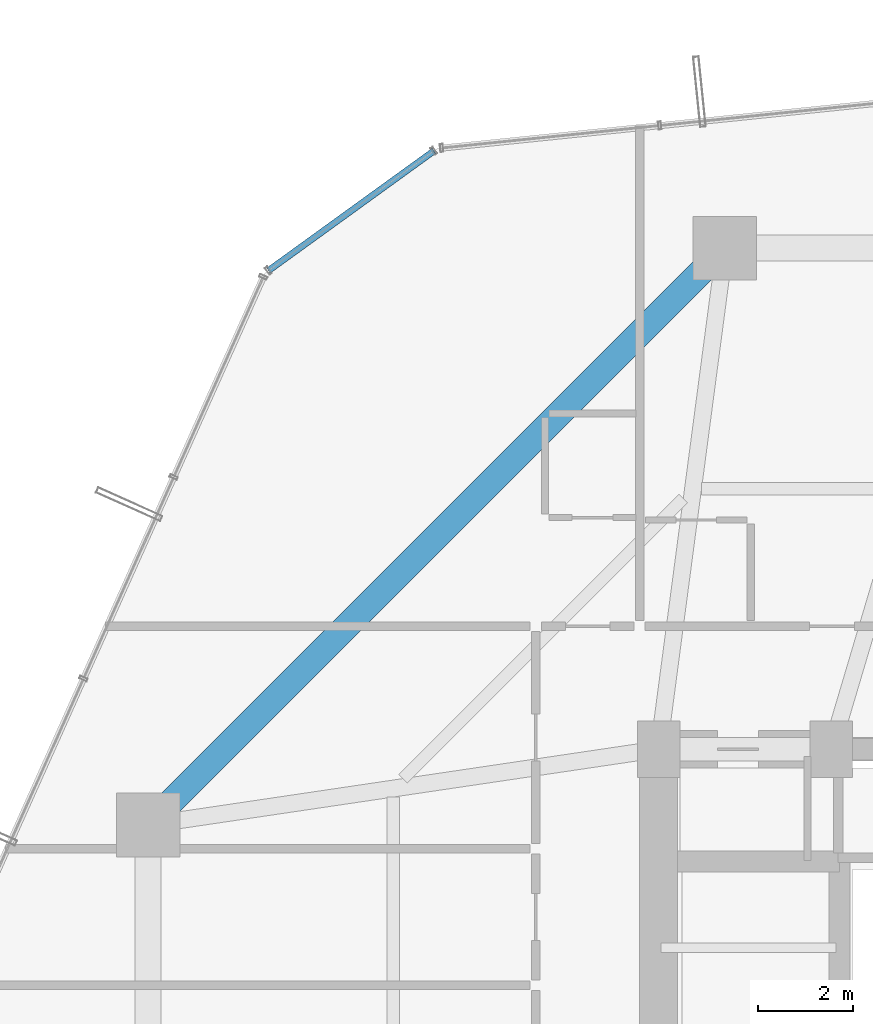
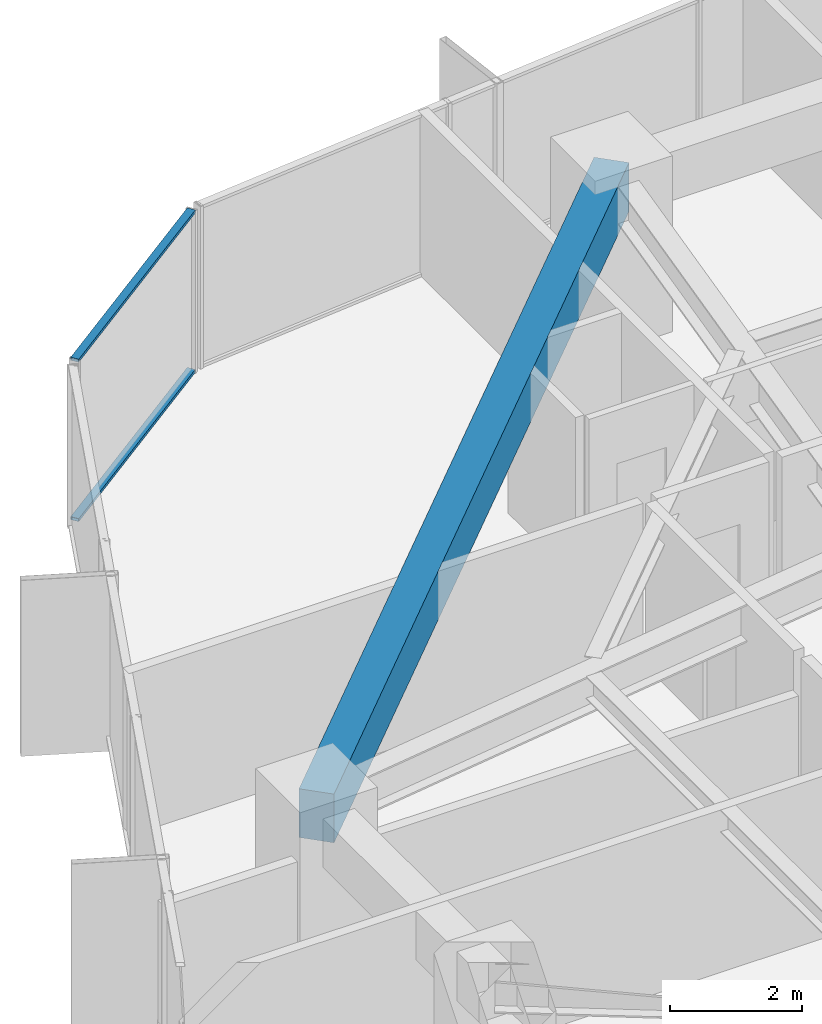
# One storey, part 22 of 37: 2 members, 1 beam, 1 element without a shape of its own.
"""IFC4 building model written with IfcOpenShell, lengths in metres."""

from ifc_helpers import new_model, si_unit, direction, frame, origin, origin_2d, place, context, subcontext, project, spatial, rectangle, hollow_rectangle, extrude, source, transform, mapped, material, layer, layer_set, material_profile, profile_set, type_object, element, aggregate, save


model = new_model("IFC4")

# Units and contexts
model_context = context("Model", 3, precision=1e-05, world=origin(), true_north=direction((0.0, 1.0)))
body_context = subcontext(model_context, "Body", "Model", "MODEL_VIEW")
ifc_project = project(units=[si_unit("LENGTHUNIT", "METRE"), si_unit("AREAUNIT", "SQUARE_METRE"), si_unit("VOLUMEUNIT", "CUBIC_METRE"), si_unit("PLANEANGLEUNIT", "RADIAN"), si_unit("MASSUNIT", "GRAM", prefix="KILO")], contexts=[model_context])

# Site, building, storey
site_placement = place(None, origin())
site = spatial("IfcSite", under=ifc_project, at=site_placement, CompositionType="ELEMENT")
building_placement = place(site_placement, origin())
building = spatial("IfcBuilding", under=site, at=building_placement, Name="Veraguas Prism Commons", CompositionType="ELEMENT")
storey_placement = place(building_placement, frame((0.0, 0.0, 43.550048828125)))
storey = spatial("IfcBuildingStorey", under=building, at=storey_placement, Name="L11", CompositionType="ELEMENT", Elevation=43.550048828125)

# Beam
ifc_material_1 = material(Name="Concrete C50/60", Category="concrete")
ifc_material_profile_1 = material_profile(ifc_material_1, rectangle(XDim=0.550048828125, YDim=0.89990234375, at=origin_2d()), Name="RC550X900")
ifc_profile_set_1 = profile_set([ifc_material_profile_1], Name="Concrete C50/60")
beam_type = type_object("IfcBeamType", Name="Perimeter Spandrel Lower RC 550x900", PredefinedType="SPANDREL", material=ifc_profile_set_1)
beam_placement = place(storey_placement, frame((18.60009765625, 41.60009765625, 2.550048828125), z_axis=(-0.707106781187, -0.707106781187, 0.0), x_axis=(0.707106781187, -0.707106781187, 0.0)))
element("IfcBeam", 1, at=beam_placement, inside=storey, type_object=beam_type, Name="Perimeter Spandrel Beam L11-SP06", PredefinedType="SPANDREL", context=body_context, shape_type="SweptSolid", body=[
    extrude(rectangle(XDim=0.550048828125, YDim=0.89990234375, at=origin_2d()), origin(), (0.0, 0.0, 1.0), 17.253662109375),
])

# Curtain wall, members
ifc_material_2 = material(Name="Anodised aluminium EN AW-6063 T6", Category="aluminium")
ifc_layer = layer(ifc_material_2, 0.169921875, Name="Unitised Flush Curtain Wall Zone 1", Category="aluminium")
ifc_layer_set = layer_set([ifc_layer], Name="Anodised aluminium EN AW-6063 T6")
curtain_wall_type = type_object("IfcCurtainWallType", Name="Unitised Flush Curtain Wall Zone 1", PredefinedType="NOTDEFINED", material=ifc_layer_set)
curtain_wall_placement = place(storey_placement, origin())
curtain_wall = element("IfcCurtainWall", 2, at=curtain_wall_placement, inside=storey, type_object=curtain_wall_type, Name="Chamfer Curtain Wall L11-C3", PredefinedType="NOTDEFINED")
ifc_material_profile_2 = material_profile(ifc_material_2, hollow_rectangle(XDim=0.054931640625, YDim=0.135009765625, WallThickness=0.0029296875, at=origin_2d()), Name="AL55X135X3")
ifc_profile_set_2 = profile_set([ifc_material_profile_2], Name="Anodised aluminium EN AW-6063 T6")
member_type = type_object("IfcMemberType", Name="Curtain Wall Transom Standard AL 55x135x3", PredefinedType="USERDEFINED", material=ifc_profile_set_2)
shared_shape = source(origin(), body_context, "Body", "SweptSolid", [
    extrude(hollow_rectangle(XDim=0.054931640625, YDim=0.135009765625, WallThickness=0.0029296875, at=origin_2d()), origin(), (0.0, 0.0, 1.0), 4.320068359375),
])
member_1_placement = place(storey_placement, frame((12.4453125, 43.659423828125, 0.02734375), z_axis=(-0.81023640193, -0.586103210184, 0.0), x_axis=(0.0, 0.0, 1.0)))
member_1 = element("IfcMember", 3, at=member_1_placement, type_object=member_type, Name="CW-Z1 Transom 1", ObjectType="TRANSOM", PredefinedType="USERDEFINED", context=body_context, shape_type="MappedRepresentation", body=[
    mapped(shared_shape, transform((0.0, 0.0, 0.0), scale=1.0)),
])
member_2_placement = place(storey_placement, frame((12.4453125, 43.659423828125, 2.972412109375), z_axis=(-0.81023640193, -0.586103210184, 0.0), x_axis=(0.0, 0.0, 1.0)))
member_2 = element("IfcMember", 4, at=member_2_placement, type_object=member_type, Name="CW-Z1 Transom 2", ObjectType="TRANSOM", PredefinedType="USERDEFINED", context=body_context, shape_type="MappedRepresentation", body=[
    mapped(shared_shape, transform((0.0, 0.0, 0.0), scale=1.0)),
])
aggregate(curtain_wall, [member_1, member_2])

save(model, "model.ifc")
